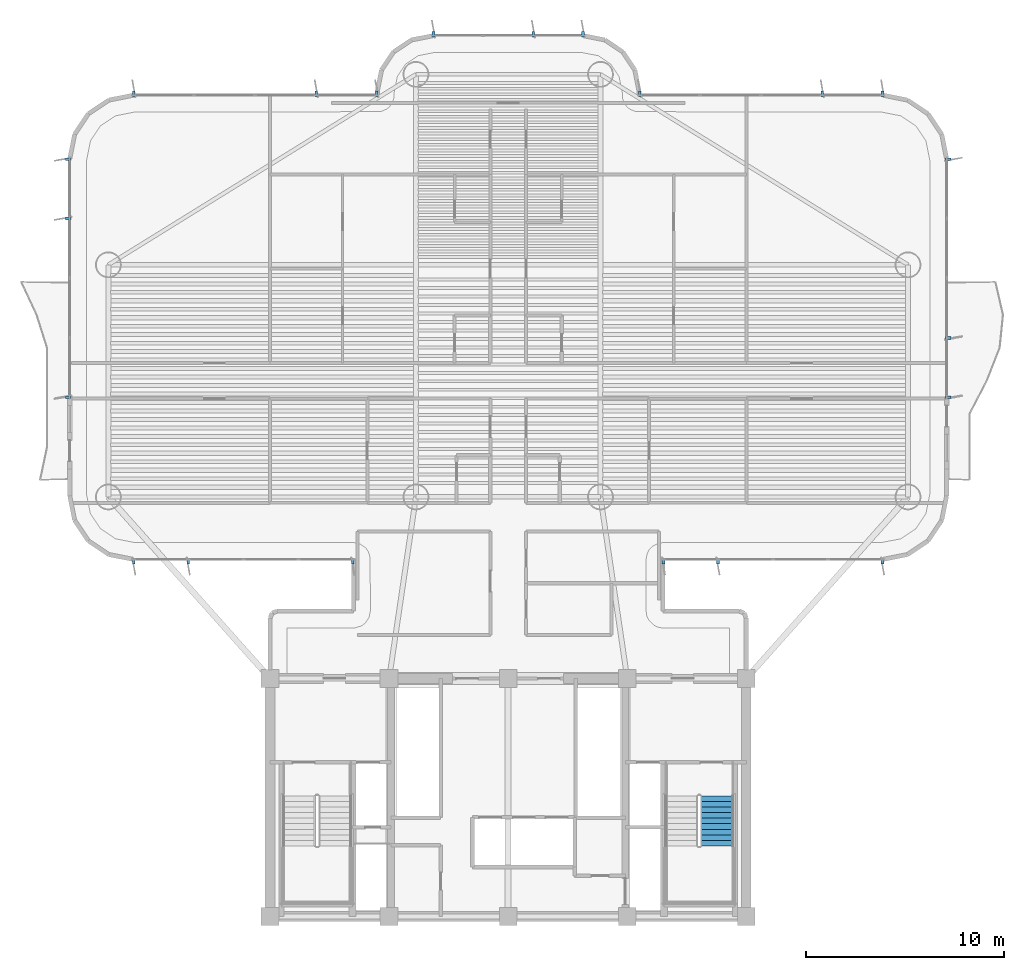
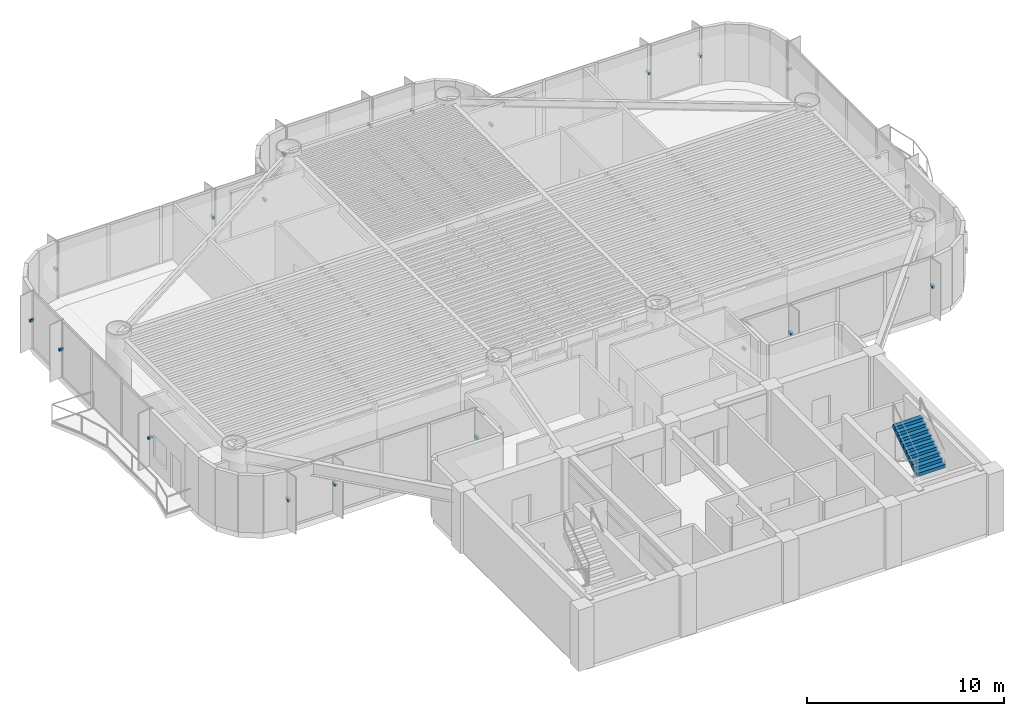
# One storey, part 13 of 17: 21 discrete accessories, 1 stair flight, 1 element without a shape of its own.
"""IFC4 building model written with IfcOpenShell, lengths in metres."""

from ifc_helpers import new_model, si_unit, direction, frame, origin, origin_2d, place, context, subcontext, project, spatial, polyline, rectangle, outline, extrude, source, transform, mapped, material, type_object, element, aggregate, save


model = new_model("IFC4")

# Units and contexts
model_context = context("Model", 3, precision=1e-05, world=origin(), true_north=direction((0.0, 1.0)))
body_context = subcontext(model_context, "Body", "Model", "MODEL_VIEW")
ifc_project = project(units=[si_unit("LENGTHUNIT", "METRE"), si_unit("AREAUNIT", "SQUARE_METRE"), si_unit("VOLUMEUNIT", "CUBIC_METRE"), si_unit("PLANEANGLEUNIT", "RADIAN"), si_unit("MASSUNIT", "GRAM", prefix="KILO")], contexts=[model_context])

# Site, building, storey
site_placement = place(None, origin())
site = spatial("IfcSite", under=ifc_project, at=site_placement, CompositionType="ELEMENT")
building_placement = place(site_placement, origin())
building = spatial("IfcBuilding", under=site, at=building_placement, Name="Brelvock Crest Care Tower", CompositionType="ELEMENT")
storey_placement = place(building_placement, frame((0.0, 0.0, 89.820068359375)))
storey = spatial("IfcBuildingStorey", under=building, at=storey_placement, Name="L22", CompositionType="ELEMENT", Elevation=89.820068359375)

# Stair, stair flight
ifc_material_1 = material(Name="Concrete N40 (40 MPa)", Category="concrete")
stair_type = type_object("IfcStairType", Name="ST-CORE1", PredefinedType="HALF_TURN_STAIR", material=ifc_material_1)
stair_placement = place(storey_placement, origin())
stair = element("IfcStair", 1, at=stair_placement, inside=storey, type_object=stair_type, Name="L22 Fire-Isolated Core Stair ST-2", PredefinedType="HALF_TURN_STAIR")
stair_flight_type = type_object("IfcStairFlightType", Name="STF-1", PredefinedType="STRAIGHT", material=ifc_material_1)
stair_flight_placement = place(storey_placement, frame((46.530029296875, 9.56005859375, 1.889892578125), z_axis=(0.0, 0.0, 1.0), x_axis=(0.0, 1.0, 0.0)))
stair_flight = element("IfcStairFlight", 2, at=stair_flight_placement, type_object=stair_flight_type, Name="ST-2 flight 2", NumberOfRisers=10, NumberOfTreads=9, PredefinedType="STRAIGHT", RiserHeight=0.189, TreadLength=0.28, context=body_context, shape_type="SweptSolid", body=[
    extrude(outline(polyline([(-0.00390625, -0.014892578125), (-0.00390625, -0.0078125), (-0.00390625, -0.00048828125), (-0.00390625, 0.0068359375), (-0.00390625, 0.01416015625), (-0.00390625, 0.021484375), (-0.00390625, 0.02880859375), (-0.00390625, 0.035888671875), (-0.00390625, 0.043212890625), (-0.00390625, 0.050537109375), (-0.00390625, 0.057861328125), (-0.00390625, 0.065185546875), (-0.00390625, 0.072509765625), (-0.00390625, 0.07958984375), (-0.00390625, 0.0869140625), (-0.00390625, 0.09423828125), (-0.00390625, 0.1015625), (-0.00390625, 0.10888671875), (-0.00390625, 0.1162109375), (-0.00390625, 0.12353515625), (-0.00390625, 0.130615234375), (-0.00390625, 0.137939453125), (-0.00390625, 0.145263671875), (-0.00390625, 0.152587890625), (-0.00390625, 0.159912109375), (-0.00390625, 0.167236328125), (-0.00390625, 0.17431640625), (-0.00390625, 0.181640625), (-0.00390625, 0.18896484375), (0.0, 0.18896484375), (0.280029296875, 0.18896484375), (0.280029296875, 0.3779296875), (0.56005859375, 0.3779296875), (0.56005859375, 0.56689453125), (0.840087890625, 0.56689453125), (0.840087890625, 0.756103515625), (1.1201171875, 0.756103515625), (1.1201171875, 0.945068359375), (1.39990234375, 0.945068359375), (1.39990234375, 1.134033203125), (1.679931640625, 1.134033203125), (1.679931640625, 1.322998046875), (1.9599609375, 1.322998046875), (1.9599609375, 1.511962890625), (2.239990234375, 1.511962890625), (2.239990234375, 1.700927734375), (2.52001953125, 1.700927734375), (2.52392578125, 1.700927734375), (2.523681640625, 1.70068359375), (2.52392578125, 1.700439453125), (2.523681640625, 1.699951171875), (2.52392578125, 1.69970703125), (2.523681640625, 1.699462890625), (2.52392578125, 1.698974609375), (2.523681640625, 1.69873046875), (2.52392578125, 1.698486328125), (2.523681640625, 1.697998046875), (2.52392578125, 1.69775390625), (2.523681640625, 1.697509765625), (2.52392578125, 1.697021484375), (2.523681640625, 1.69677734375), (2.52392578125, 1.696533203125), (2.523681640625, 1.6962890625), (2.52392578125, 1.69580078125), (2.523681640625, 1.695556640625), (2.52392578125, 1.6953125), (2.523681640625, 1.69482421875), (2.52392578125, 1.694580078125), (2.523681640625, 1.6943359375), (2.52392578125, 1.69384765625), (2.523681640625, 1.693603515625), (2.52392578125, 1.693359375), (2.523681640625, 1.69287109375), (2.52392578125, 1.692626953125), (2.523681640625, 1.6923828125), (2.52392578125, 1.69189453125), (2.52001953125, 1.520263671875), (0.267822265625, 0.0), (0.0, 0.0), (0.0, -0.014892578125), (-0.00390625, -0.014892578125)])), frame((0.0, 0.83984375, 0.0), z_axis=(0.0, -1.0, 0.0), x_axis=(1.0, 0.0, 0.0)), (0.0, 0.0, 1.0), 1.679931640625),
])
aggregate(stair, [stair_flight])

# Discrete accessories
ifc_material_2 = material(Name="Steel Grade 350", Category="steel")
discrete_accessory_type = type_object("IfcDiscreteAccessoryType", Name="ACC-BRK1", PredefinedType="BRACKET", material=ifc_material_2)
shared_shape = source(origin(), body_context, "Body", "SweptSolid", [
    extrude(rectangle(XDim=0.280029296875, YDim=0.139892578125, at=origin_2d()), origin(), (0.0, 0.0, 1.0), 0.139892578125),
])
for number, where, z_axis, x_axis, name in (
    (3, (28.169921875, 23.919921875, 1.69482421875), (0.0, 0.0, 1.0), (0.0, -1.0, 0.0), "L22 Facade Fin Bracket E12-01"),
    (4, (19.875, 23.919921875, 1.69482421875), (0.0, 0.0, 1.0), (0.0, -1.0, 0.0), "L22 Facade Fin Bracket E12-04"),
    (5, (17.1298828125, 23.919921875, 1.69482421875), (0.0, 0.0, 1.0), (0.0, -1.0, 0.0), "L22 Facade Fin Bracket E12-05"),
    (6, (13.820068359375, 32.179931640625, 1.69482421875), (0.0, 0.0, 1.0), (-1.0, 0.0, 0.0), "L22 Facade Fin Bracket E17B-01"),
    (7, (13.820068359375, 41.1875, 1.69482421875), (0.0, 0.0, 1.0), (-1.0, 0.0, 0.0), "L22 Facade Fin Bracket E17B-04"),
    (8, (13.820068359375, 44.169921875, 1.69482421875), (0.0, 0.0, 1.0), (-1.0, 0.0, 0.0), "L22 Facade Fin Bracket E17B-05"),
    (9, (17.1298828125, 47.47998046875, 1.69482421875), (0.0, 0.0, 1.0), (0.0, 1.0, 0.0), "L22 Facade Fin Bracket E22-01"),
    (10, (26.324951171875, 47.47998046875, 1.69482421875), (0.0, 0.0, 1.0), (0.0, 1.0, 0.0), "L22 Facade Fin Bracket E22-04"),
    (11, (29.3701171875, 47.47998046875, 1.69482421875), (0.0, 0.0, 1.0), (0.0, 1.0, 0.0), "L22 Facade Fin Bracket E22-05"),
    (12, (32.22998046875, 50.47998046875, 1.69482421875), (0.0, 0.0, 1.0), (0.0, 1.0, 0.0), "L22 Facade Fin Bracket E28-01"),
    (13, (37.2666015625, 50.47998046875, 1.69482421875), (0.0, 0.0, 1.0), (0.0, 1.0, 0.0), "L22 Facade Fin Bracket E28-03"),
    (14, (39.77001953125, 50.47998046875, 1.69482421875), (0.0, 0.0, 1.0), (0.0, 1.0, 0.0), "L22 Facade Fin Bracket E28-04"),
    (15, (42.6298828125, 47.47998046875, 1.69482421875), (0.0, 0.0, 1.0), (0.0, 1.0, 0.0), "L22 Facade Fin Bracket E34-01"),
    (16, (51.824951171875, 47.47998046875, 1.69482421875), (0.0, 0.0, 1.0), (0.0, 1.0, 0.0), "L22 Facade Fin Bracket E34-04"),
    (17, (54.8701171875, 47.47998046875, 1.69482421875), (0.0, 0.0, 1.0), (0.0, 1.0, 0.0), "L22 Facade Fin Bracket E34-05"),
    (18, (58.179931640625, 44.169921875, 1.69482421875), (0.0, 0.0, 1.0), (1.0, 0.0, 0.0), "L22 Facade Fin Bracket E39A-01"),
    (19, (58.179931640625, 35.16259765625, 1.69482421875), (0.0, 0.0, 1.0), (1.0, 0.0, 0.0), "L22 Facade Fin Bracket E39A-04"),
    (20, (58.179931640625, 32.179931640625, 1.69482421875), (0.0, 0.0, 1.0), (1.0, 0.0, 0.0), "L22 Facade Fin Bracket E39A-05"),
    (21, (54.8701171875, 23.919921875, 1.69482421875), (0.0, 0.0, 1.0), (0.0, -1.0, 0.0), "L22 Facade Fin Bracket E44-01"),
    (22, (46.574951171875, 23.919921875, 1.69482421875), (0.0, 0.0, 1.0), (0.0, -1.0, 0.0), "L22 Facade Fin Bracket E44-04"),
    (23, (43.830078125, 23.919921875, 1.69482421875), (0.0, 0.0, 1.0), (0.0, -1.0, 0.0), "L22 Facade Fin Bracket E44-05"),
):
    element("IfcDiscreteAccessory", number, at=place(storey_placement, frame(where, z_axis=z_axis, x_axis=x_axis)), inside=storey, type_object=discrete_accessory_type, Name=name, PredefinedType="BRACKET", context=body_context, shape_type="MappedRepresentation", body=[
        mapped(shared_shape, transform((0.0, 0.0, 0.0), x_axis=(1.0, 0.0, 0.0), y_axis=(0.0, 1.0, 0.0), z_axis=(0.0, 0.0, 1.0), scale=1.0)),
    ])

save(model, "model.ifc")
